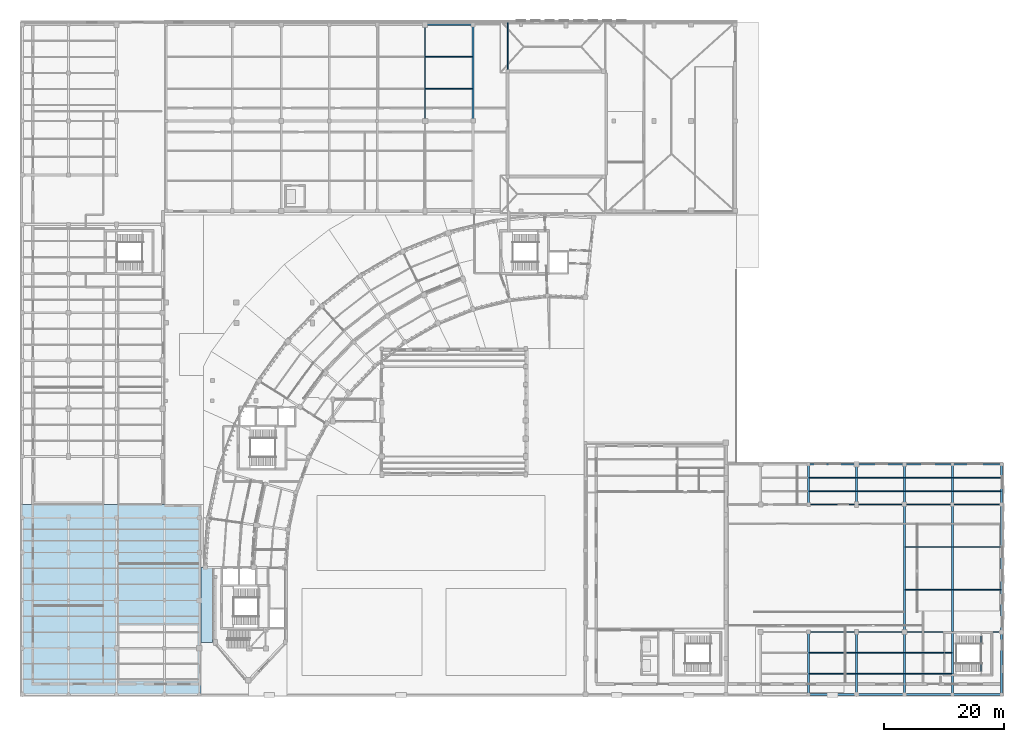
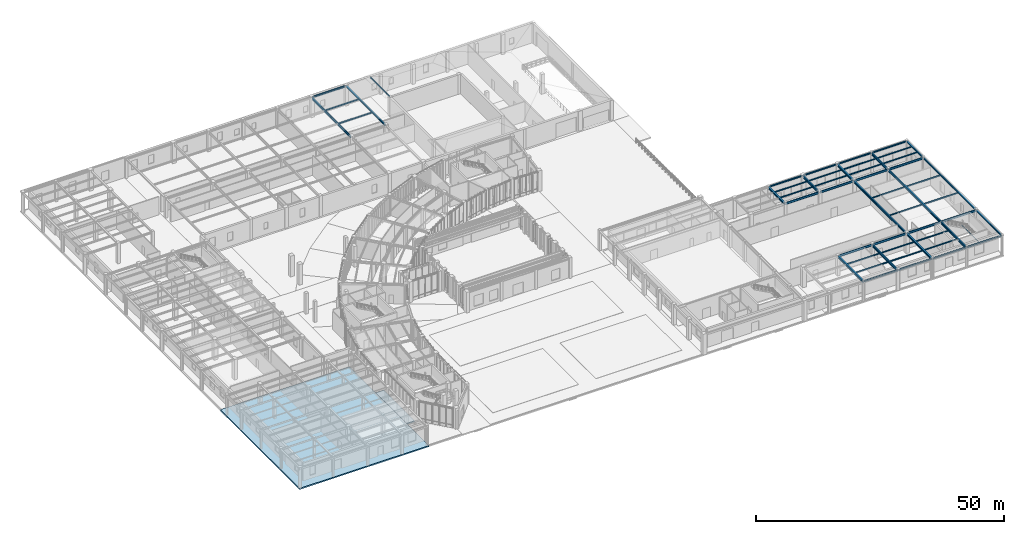
# One storey, part 19 of 68: 53 beams, 2 slabs, 1 member.
"""IFC4 building model written with IfcOpenShell, lengths in metres."""

from ifc_helpers import new_model, si_unit, direction, frame, origin, origin_2d, place, context, subcontext, project, spatial, polyline, hollow_rectangle, i_section, outline, extrude, material, layer, layer_set, material_profile, profile_set, type_object, element, save


model = new_model("IFC4")

# Units and contexts
model_context = context("Model", 3, precision=1e-05, world=origin(), true_north=direction((0.0, 1.0)))
body_context = subcontext(model_context, "Body", "Model", "MODEL_VIEW")
ifc_project = project(units=[si_unit("LENGTHUNIT", "METRE"), si_unit("AREAUNIT", "SQUARE_METRE"), si_unit("VOLUMEUNIT", "CUBIC_METRE"), si_unit("PLANEANGLEUNIT", "RADIAN"), si_unit("MASSUNIT", "GRAM", prefix="KILO"), si_unit("THERMODYNAMICTEMPERATUREUNIT", "KELVIN"), si_unit("POWERUNIT", "WATT")], contexts=[model_context])

# Site, building, storey
site_placement = place(None, origin())
site = spatial("IfcSite", under=ifc_project, at=site_placement, CompositionType="ELEMENT")
building_placement = place(site_placement, origin())
building = spatial("IfcBuilding", under=site, at=building_placement, Name="Solvatero Civic Police Headquarters", CompositionType="ELEMENT")
storey_placement = place(building_placement, origin())
storey = spatial("IfcBuildingStorey", under=building, at=storey_placement, Name="L00", CompositionType="ELEMENT", Elevation=0.0)

# Beams
ifc_material_1 = material(Name="Steel S355", Category="steel")
ifc_material_profile_1 = material_profile(ifc_material_1, i_section(OverallWidth=0.300048828125, OverallDepth=0.31005859375, WebThickness=0.009033203125, FlangeThickness=0.015380859375, FilletRadius=0.027099609375, at=origin_2d()), Name="HEA 320")
ifc_profile_set_1 = profile_set([ifc_material_profile_1], Name="Steel S355")
beam_type_1 = type_object("IfcBeamType", Name="BM-ST-HEA320", PredefinedType="SPANDREL", material=ifc_profile_set_1)
for number, where, z_axis, x_axis, name in (
    (1, (136.10009765625, 4.800048828125, 4.72509765625), (1.0, 0.0, 0.0), (0.0, 1.0, 0.0), "Perimeter / radial spandrel beam BM-R2-L00-V3-GX-2-1"),
    (2, (144.10009765625, 4.800048828125, 4.72509765625), (1.0, 0.0, 0.0), (0.0, 1.0, 0.0), "Perimeter / radial spandrel beam BM-R2-L00-V3-GX-3-1"),
    (3, (152.10009765625, 4.800048828125, 4.72509765625), (1.0, 0.0, 0.0), (0.0, 1.0, 0.0), "Perimeter / radial spandrel beam BM-R2-L00-V3-GX-4-1"),
):
    element("IfcBeam", number, at=place(storey_placement, frame(where, z_axis=z_axis, x_axis=x_axis)), inside=storey, type_object=beam_type_1, Name=name, PredefinedType="SPANDREL", context=body_context, shape_type="SweptSolid", body=[
        extrude(i_section(OverallWidth=0.300048828125, OverallDepth=0.31005859375, WebThickness=0.009033203125, FlangeThickness=0.015380859375, FilletRadius=0.027099609375, at=origin_2d()), origin(), (0.0, 0.0, 1.0), 7.7998046875),
    ])
beam_1_placement = place(storey_placement, frame((160.10009765625, 4.800048828125, 4.72509765625), z_axis=(1.0, 0.0, 0.0), x_axis=(0.0, 1.0, 0.0)))
element("IfcBeam", 4, at=beam_1_placement, inside=storey, type_object=beam_type_1, Name="Perimeter / radial spandrel beam BM-R2-L00-V3-GX-5-1", PredefinedType="SPANDREL", context=body_context, shape_type="SweptSolid", body=[
    extrude(i_section(OverallWidth=0.300048828125, OverallDepth=0.31005859375, WebThickness=0.009033203125, FlangeThickness=0.015380859375, FilletRadius=0.027099609375, at=origin_2d()), origin(), (0.0, 0.0, 1.0), 8.0),
])
for number, where, z_axis, x_axis, name in (
    (5, (136.10009765625, 43.199951171875, 4.72509765625), (1.0, 0.0, 0.0), (0.0, 1.0, 0.0), "Perimeter / radial spandrel beam BM-R2-L00-V3-GX-2-4"),
    (6, (144.10009765625, 43.199951171875, 4.72509765625), (1.0, 0.0, 0.0), (0.0, 1.0, 0.0), "Perimeter / radial spandrel beam BM-R2-L00-V3-GX-3-4"),
    (7, (152.10009765625, 43.199951171875, 4.72509765625), (1.0, 0.0, 0.0), (0.0, 1.0, 0.0), "Perimeter / radial spandrel beam BM-R2-L00-V3-GX-4-4"),
):
    element("IfcBeam", number, at=place(storey_placement, frame(where, z_axis=z_axis, x_axis=x_axis)), inside=storey, type_object=beam_type_1, Name=name, PredefinedType="SPANDREL", context=body_context, shape_type="SweptSolid", body=[
        extrude(i_section(OverallWidth=0.300048828125, OverallDepth=0.31005859375, WebThickness=0.009033203125, FlangeThickness=0.015380859375, FilletRadius=0.027099609375, at=origin_2d()), origin(), (0.0, 0.0, 1.0), 7.7998046875),
    ])
beam_2_placement = place(storey_placement, frame((160.10009765625, 43.199951171875, 4.72509765625), z_axis=(1.0, 0.0, 0.0), x_axis=(0.0, 1.0, 0.0)))
element("IfcBeam", 8, at=beam_2_placement, inside=storey, type_object=beam_type_1, Name="Perimeter / radial spandrel beam BM-R2-L00-V3-GX-5-4", PredefinedType="SPANDREL", context=body_context, shape_type="SweptSolid", body=[
    extrude(i_section(OverallWidth=0.300048828125, OverallDepth=0.31005859375, WebThickness=0.009033203125, FlangeThickness=0.015380859375, FilletRadius=0.027099609375, at=origin_2d()), origin(), (0.0, 0.0, 1.0), 8.0),
])
beam_3_placement = place(storey_placement, frame((168.199951171875, 4.9599609375, 4.72509765625), z_axis=(0.0, 1.0, 0.0), x_axis=(-1.0, 0.0, 0.0)))
element("IfcBeam", 9, at=beam_3_placement, inside=storey, type_object=beam_type_1, Name="Perimeter / radial spandrel beam BM-R2-L00-V3-GY-6-1", PredefinedType="SPANDREL", context=body_context, shape_type="SweptSolid", body=[
    extrude(i_section(OverallWidth=0.300048828125, OverallDepth=0.31005859375, WebThickness=0.009033203125, FlangeThickness=0.015380859375, FilletRadius=0.027099609375, at=origin_2d()), origin(), (0.0, 0.0, 1.0), 10.080078125),
])
beam_4_placement = place(storey_placement, frame((168.199951171875, 15.360107421875, 4.72509765625), z_axis=(0.0, 1.0, 0.0), x_axis=(-1.0, 0.0, 0.0)))
element("IfcBeam", 10, at=beam_4_placement, inside=storey, type_object=beam_type_1, Name="Perimeter / radial spandrel beam BM-R2-L00-V3-GY-6-2", PredefinedType="SPANDREL", context=body_context, shape_type="SweptSolid", body=[
    extrude(i_section(OverallWidth=0.300048828125, OverallDepth=0.31005859375, WebThickness=0.009033203125, FlangeThickness=0.015380859375, FilletRadius=0.027099609375, at=origin_2d()), origin(), (0.0, 0.0, 1.0), 20.97998046875),
])
beam_5_placement = place(storey_placement, frame((168.199951171875, 36.659912109375, 4.72509765625), z_axis=(0.0, 1.0, 0.0), x_axis=(-1.0, 0.0, 0.0)))
element("IfcBeam", 11, at=beam_5_placement, inside=storey, type_object=beam_type_1, Name="Perimeter / radial spandrel beam BM-R2-L00-V3-GY-6-3", PredefinedType="SPANDREL", context=body_context, shape_type="SweptSolid", body=[
    extrude(i_section(OverallWidth=0.300048828125, OverallDepth=0.31005859375, WebThickness=0.009033203125, FlangeThickness=0.015380859375, FilletRadius=0.027099609375, at=origin_2d()), origin(), (0.0, 0.0, 1.0), 6.380126953125),
])
ifc_material_profile_2 = material_profile(ifc_material_1, i_section(OverallWidth=0.300048828125, OverallDepth=0.35009765625, WebThickness=0.010009765625, FlangeThickness=0.017578125, FilletRadius=0.027099609375, at=origin_2d()), Name="HEA 360")
ifc_profile_set_2 = profile_set([ifc_material_profile_2], Name="Steel S355")
beam_type_2 = type_object("IfcBeamType", Name="BM-ST-HEA360", PredefinedType="SPANDREL", material=ifc_profile_set_2)
beam_6_placement = place(storey_placement, frame((72.10009765625, 116.550048828125, 4.68505859375), z_axis=(1.0, 0.0, 0.0), x_axis=(0.0, 1.0, 0.0)))
element("IfcBeam", 12, at=beam_6_placement, inside=storey, type_object=beam_type_2, Name="Perimeter / radial spandrel beam BM-R2-L00-V7-GX-6-3", PredefinedType="SPANDREL", context=body_context, shape_type="SweptSolid", body=[
    extrude(i_section(OverallWidth=0.300048828125, OverallDepth=0.35009765625, WebThickness=0.010009765625, FlangeThickness=0.017578125, FilletRadius=0.027099609375, at=origin_2d()), origin(), (0.0, 0.0, 1.0), 7.7998046875),
])
beam_7_placement = place(storey_placement, frame((80.0, 100.659912109375, 4.68505859375), z_axis=(0.0, 1.0, 0.0), x_axis=(-1.0, 0.0, 0.0)))
element("IfcBeam", 13, at=beam_7_placement, inside=storey, type_object=beam_type_2, Name="Perimeter / radial spandrel beam BM-R2-L00-V7-GY-7-2", PredefinedType="SPANDREL", context=body_context, shape_type="SweptSolid", body=[
    extrude(i_section(OverallWidth=0.300048828125, OverallDepth=0.35009765625, WebThickness=0.010009765625, FlangeThickness=0.017578125, FilletRadius=0.027099609375, at=origin_2d()), origin(), (0.0, 0.0, 1.0), 15.72998046875),
])
ifc_material_profile_3 = material_profile(ifc_material_1, i_section(OverallWidth=0.300048828125, OverallDepth=0.5400390625, WebThickness=0.012451171875, FlangeThickness=0.02392578125, FilletRadius=0.027099609375, at=origin_2d()), Name="HEA 550")
ifc_profile_set_3 = profile_set([ifc_material_profile_3], Name="Steel S355")
beam_type_3 = type_object("IfcBeamType", Name="BM-ST-HEA550", PredefinedType="BEAM", material=ifc_profile_set_3)
beam_8_placement = place(storey_placement, frame((136.0, 4.9599609375, 4.610107421875), z_axis=(0.0, 1.0, 0.0), x_axis=(-1.0, 0.0, 0.0)))
element("IfcBeam", 14, at=beam_8_placement, inside=storey, type_object=beam_type_3, Name="Primary girder BM-R2-L00-V3-GY-2-1", PredefinedType="BEAM", context=body_context, shape_type="SweptSolid", body=[
    extrude(i_section(OverallWidth=0.300048828125, OverallDepth=0.5400390625, WebThickness=0.012451171875, FlangeThickness=0.02392578125, FilletRadius=0.027099609375, at=origin_2d()), origin(), (0.0, 0.0, 1.0), 10.080078125),
])
beam_9_placement = place(storey_placement, frame((136.0, 36.659912109375, 4.610107421875), z_axis=(0.0, 1.0, 0.0), x_axis=(-1.0, 0.0, 0.0)))
element("IfcBeam", 15, at=beam_9_placement, inside=storey, type_object=beam_type_3, Name="Primary girder BM-R2-L00-V3-GY-2-3", PredefinedType="BEAM", context=body_context, shape_type="SweptSolid", body=[
    extrude(i_section(OverallWidth=0.300048828125, OverallDepth=0.5400390625, WebThickness=0.012451171875, FlangeThickness=0.02392578125, FilletRadius=0.027099609375, at=origin_2d()), origin(), (0.0, 0.0, 1.0), 6.380126953125),
])
beam_10_placement = place(storey_placement, frame((144.0, 4.9599609375, 4.610107421875), z_axis=(0.0, 1.0, 0.0), x_axis=(-1.0, 0.0, 0.0)))
element("IfcBeam", 16, at=beam_10_placement, inside=storey, type_object=beam_type_3, Name="Primary girder BM-R2-L00-V3-GY-3-1", PredefinedType="BEAM", context=body_context, shape_type="SweptSolid", body=[
    extrude(i_section(OverallWidth=0.300048828125, OverallDepth=0.5400390625, WebThickness=0.012451171875, FlangeThickness=0.02392578125, FilletRadius=0.027099609375, at=origin_2d()), origin(), (0.0, 0.0, 1.0), 10.080078125),
])
beam_11_placement = place(storey_placement, frame((144.0, 36.659912109375, 4.610107421875), z_axis=(0.0, 1.0, 0.0), x_axis=(-1.0, 0.0, 0.0)))
element("IfcBeam", 17, at=beam_11_placement, inside=storey, type_object=beam_type_3, Name="Primary girder BM-R2-L00-V3-GY-3-3", PredefinedType="BEAM", context=body_context, shape_type="SweptSolid", body=[
    extrude(i_section(OverallWidth=0.300048828125, OverallDepth=0.5400390625, WebThickness=0.012451171875, FlangeThickness=0.02392578125, FilletRadius=0.027099609375, at=origin_2d()), origin(), (0.0, 0.0, 1.0), 6.380126953125),
])
beam_12_placement = place(storey_placement, frame((152.0, 4.9599609375, 4.610107421875), z_axis=(0.0, 1.0, 0.0), x_axis=(-1.0, 0.0, 0.0)))
element("IfcBeam", 18, at=beam_12_placement, inside=storey, type_object=beam_type_3, Name="Primary girder BM-R2-L00-V3-GY-4-1", PredefinedType="BEAM", context=body_context, shape_type="SweptSolid", body=[
    extrude(i_section(OverallWidth=0.300048828125, OverallDepth=0.5400390625, WebThickness=0.012451171875, FlangeThickness=0.02392578125, FilletRadius=0.027099609375, at=origin_2d()), origin(), (0.0, 0.0, 1.0), 10.080078125),
])
beam_13_placement = place(storey_placement, frame((152.0, 15.360107421875, 4.610107421875), z_axis=(0.0, 1.0, 0.0), x_axis=(-1.0, 0.0, 0.0)))
element("IfcBeam", 19, at=beam_13_placement, inside=storey, type_object=beam_type_3, Name="Primary girder BM-R2-L00-V3-GY-4-2", PredefinedType="BEAM", context=body_context, shape_type="SweptSolid", body=[
    extrude(i_section(OverallWidth=0.300048828125, OverallDepth=0.5400390625, WebThickness=0.012451171875, FlangeThickness=0.02392578125, FilletRadius=0.027099609375, at=origin_2d()), origin(), (0.0, 0.0, 1.0), 20.97998046875),
])
beam_14_placement = place(storey_placement, frame((152.0, 36.659912109375, 4.610107421875), z_axis=(0.0, 1.0, 0.0), x_axis=(-1.0, 0.0, 0.0)))
element("IfcBeam", 20, at=beam_14_placement, inside=storey, type_object=beam_type_3, Name="Primary girder BM-R2-L00-V3-GY-4-3", PredefinedType="BEAM", context=body_context, shape_type="SweptSolid", body=[
    extrude(i_section(OverallWidth=0.300048828125, OverallDepth=0.5400390625, WebThickness=0.012451171875, FlangeThickness=0.02392578125, FilletRadius=0.027099609375, at=origin_2d()), origin(), (0.0, 0.0, 1.0), 6.380126953125),
])
beam_15_placement = place(storey_placement, frame((160.0, 4.9599609375, 4.610107421875), z_axis=(0.0, 1.0, 0.0), x_axis=(-1.0, 0.0, 0.0)))
element("IfcBeam", 21, at=beam_15_placement, inside=storey, type_object=beam_type_3, Name="Primary girder BM-R2-L00-V3-GY-5-1", PredefinedType="BEAM", context=body_context, shape_type="SweptSolid", body=[
    extrude(i_section(OverallWidth=0.300048828125, OverallDepth=0.5400390625, WebThickness=0.012451171875, FlangeThickness=0.02392578125, FilletRadius=0.027099609375, at=origin_2d()), origin(), (0.0, 0.0, 1.0), 10.137939453125),
])
beam_16_placement = place(storey_placement, frame((160.0, 15.302001953125, 4.610107421875), z_axis=(0.0, 1.0, 0.0), x_axis=(-1.0, 0.0, 0.0)))
element("IfcBeam", 22, at=beam_16_placement, inside=storey, type_object=beam_type_3, Name="Primary girder BM-R2-L00-V3-GY-5-2", PredefinedType="BEAM", context=body_context, shape_type="SweptSolid", body=[
    extrude(i_section(OverallWidth=0.300048828125, OverallDepth=0.5400390625, WebThickness=0.012451171875, FlangeThickness=0.02392578125, FilletRadius=0.027099609375, at=origin_2d()), origin(), (0.0, 0.0, 1.0), 21.0380859375),
])
beam_17_placement = place(storey_placement, frame((160.0, 36.659912109375, 4.610107421875), z_axis=(0.0, 1.0, 0.0), x_axis=(-1.0, 0.0, 0.0)))
element("IfcBeam", 23, at=beam_17_placement, inside=storey, type_object=beam_type_3, Name="Primary girder BM-R2-L00-V3-GY-5-3", PredefinedType="BEAM", context=body_context, shape_type="SweptSolid", body=[
    extrude(i_section(OverallWidth=0.300048828125, OverallDepth=0.5400390625, WebThickness=0.012451171875, FlangeThickness=0.02392578125, FilletRadius=0.027099609375, at=origin_2d()), origin(), (0.0, 0.0, 1.0), 6.380126953125),
])
ifc_material_profile_4 = material_profile(ifc_material_1, i_section(OverallWidth=0.14990234375, OverallDepth=0.300048828125, WebThickness=0.007080078125, FlangeThickness=0.0107421875, FilletRadius=0.014892578125, at=origin_2d()), Name="IPE 300")
ifc_profile_set_4 = profile_set([ifc_material_profile_4], Name="Steel S355")
beam_type_4 = type_object("IfcBeamType", Name="BM-ST-IPE300", PredefinedType="BEAM", material=ifc_profile_set_4)
for number, where, z_axis, x_axis, name in (
    (24, (136.14990234375, 8.2666015625, 4.72998046875), (1.0, 0.0, 0.0), (0.0, 1.0, 0.0), "Composite floor beam BM-R2-L00-V3-SEC-2-1-S1"),
    (25, (136.14990234375, 11.7333984375, 4.72998046875), (1.0, 0.0, 0.0), (0.0, 1.0, 0.0), "Composite floor beam BM-R2-L00-V3-SEC-2-1-S2"),
    (26, (136.14990234375, 38.7333984375, 4.72998046875), (1.0, 0.0, 0.0), (0.0, 1.0, 0.0), "Composite floor beam BM-R2-L00-V3-SEC-2-3-S1"),
    (27, (136.14990234375, 40.966796875, 4.72998046875), (1.0, 0.0, 0.0), (0.0, 1.0, 0.0), "Composite floor beam BM-R2-L00-V3-SEC-2-3-S2"),
    (28, (144.14990234375, 8.2666015625, 4.72998046875), (1.0, 0.0, 0.0), (0.0, 1.0, 0.0), "Composite floor beam BM-R2-L00-V3-SEC-3-1-S1"),
    (29, (144.14990234375, 11.7333984375, 4.72998046875), (1.0, 0.0, 0.0), (0.0, 1.0, 0.0), "Composite floor beam BM-R2-L00-V3-SEC-3-1-S2"),
    (30, (144.14990234375, 38.7333984375, 4.72998046875), (1.0, 0.0, 0.0), (0.0, 1.0, 0.0), "Composite floor beam BM-R2-L00-V3-SEC-3-3-S1"),
    (31, (144.14990234375, 40.966796875, 4.72998046875), (1.0, 0.0, 0.0), (0.0, 1.0, 0.0), "Composite floor beam BM-R2-L00-V3-SEC-3-3-S2"),
    (32, (152.14990234375, 8.2666015625, 4.72998046875), (1.0, 0.0, 0.0), (0.0, 1.0, 0.0), "Composite floor beam BM-R2-L00-V3-SEC-4-1-S1"),
    (33, (152.14990234375, 11.7333984375, 4.72998046875), (1.0, 0.0, 0.0), (0.0, 1.0, 0.0), "Composite floor beam BM-R2-L00-V3-SEC-4-1-S2"),
    (34, (152.14990234375, 22.300048828125, 4.72998046875), (1.0, 0.0, 0.0), (0.0, 1.0, 0.0), "Composite floor beam BM-R2-L00-V3-SEC-4-2-S1"),
    (35, (152.14990234375, 29.39990234375, 4.72998046875), (1.0, 0.0, 0.0), (0.0, 1.0, 0.0), "Composite floor beam BM-R2-L00-V3-SEC-4-2-S2"),
    (36, (152.14990234375, 38.7333984375, 4.72998046875), (1.0, 0.0, 0.0), (0.0, 1.0, 0.0), "Composite floor beam BM-R2-L00-V3-SEC-4-3-S1"),
    (37, (152.14990234375, 40.966796875, 4.72998046875), (1.0, 0.0, 0.0), (0.0, 1.0, 0.0), "Composite floor beam BM-R2-L00-V3-SEC-4-3-S2"),
):
    element("IfcBeam", number, at=place(storey_placement, frame(where, z_axis=z_axis, x_axis=x_axis)), inside=storey, type_object=beam_type_4, Name=name, PredefinedType="BEAM", context=body_context, shape_type="SweptSolid", body=[
        extrude(i_section(OverallWidth=0.14990234375, OverallDepth=0.300048828125, WebThickness=0.007080078125, FlangeThickness=0.0107421875, FilletRadius=0.014892578125, at=origin_2d()), origin(), (0.0, 0.0, 1.0), 7.7001953125),
    ])
for number, where, z_axis, x_axis, name in (
    (38, (160.14990234375, 22.300048828125, 4.72998046875), (1.0, 0.0, 0.0), (0.0, 1.0, 0.0), "Composite floor beam BM-R2-L00-V3-SEC-5-2-S1"),
    (39, (160.14990234375, 29.39990234375, 4.72998046875), (1.0, 0.0, 0.0), (0.0, 1.0, 0.0), "Composite floor beam BM-R2-L00-V3-SEC-5-2-S2"),
    (40, (160.14990234375, 38.7333984375, 4.72998046875), (1.0, 0.0, 0.0), (0.0, 1.0, 0.0), "Composite floor beam BM-R2-L00-V3-SEC-5-3-S1"),
    (41, (160.14990234375, 40.966796875, 4.72998046875), (1.0, 0.0, 0.0), (0.0, 1.0, 0.0), "Composite floor beam BM-R2-L00-V3-SEC-5-3-S2"),
):
    element("IfcBeam", number, at=place(storey_placement, frame(where, z_axis=z_axis, x_axis=x_axis)), inside=storey, type_object=beam_type_4, Name=name, PredefinedType="BEAM", context=body_context, shape_type="SweptSolid", body=[
        extrude(i_section(OverallWidth=0.14990234375, OverallDepth=0.300048828125, WebThickness=0.007080078125, FlangeThickness=0.0107421875, FilletRadius=0.014892578125, at=origin_2d()), origin(), (0.0, 0.0, 1.0), 7.900146484375),
    ])
beam_18_placement = place(storey_placement, frame((85.800048828125, 108.8798828125, 4.639892578125), z_axis=(0.0, 1.0, 0.0), x_axis=(-1.0, 0.0, 0.0)))
element("IfcBeam", 42, at=beam_18_placement, inside=storey, type_object=beam_type_4, Name="Composite floor beam BM-R2-L00-CUSYN-W", PredefinedType="BEAM", context=body_context, shape_type="SweptSolid", body=[
    extrude(i_section(OverallWidth=0.14990234375, OverallDepth=0.300048828125, WebThickness=0.007080078125, FlangeThickness=0.0107421875, FilletRadius=0.014892578125, at=origin_2d()), origin(), (0.0, 0.0, 1.0), 7.990234375),
])
ifc_material_profile_5 = material_profile(ifc_material_1, i_section(OverallWidth=0.159912109375, OverallDepth=0.330078125, WebThickness=0.007568359375, FlangeThickness=0.011474609375, FilletRadius=0.01806640625, at=origin_2d()), Name="IPE 330")
ifc_profile_set_5 = profile_set([ifc_material_profile_5], Name="Steel S355")
beam_type_5 = type_object("IfcBeamType", Name="BM-ST-IPE330", PredefinedType="BEAM", material=ifc_profile_set_5)
for number, where, z_axis, x_axis, name in (
    (43, (72.10498046875, 105.85009765625, 4.695068359375), (1.0, 0.0, 0.0), (0.0, 1.0, 0.0), "Composite floor beam BM-R2-L00-V7-SEC-6-2-S1"),
    (44, (72.10498046875, 111.199951171875, 4.695068359375), (1.0, 0.0, 0.0), (0.0, 1.0, 0.0), "Composite floor beam BM-R2-L00-V7-SEC-6-2-S2"),
):
    element("IfcBeam", number, at=place(storey_placement, frame(where, z_axis=z_axis, x_axis=x_axis)), inside=storey, type_object=beam_type_5, Name=name, PredefinedType="BEAM", context=body_context, shape_type="SweptSolid", body=[
        extrude(i_section(OverallWidth=0.159912109375, OverallDepth=0.330078125, WebThickness=0.007568359375, FlangeThickness=0.011474609375, FilletRadius=0.01806640625, at=origin_2d()), origin(), (0.0, 0.0, 1.0), 7.7451171875),
    ])
ifc_material_profile_6 = material_profile(ifc_material_1, i_section(OverallWidth=0.199951171875, OverallDepth=0.5, WebThickness=0.01025390625, FlangeThickness=0.01611328125, FilletRadius=0.02099609375, at=origin_2d()), Name="IPE 500")
ifc_profile_set_6 = profile_set([ifc_material_profile_6], Name="Steel S355")
beam_type_6 = type_object("IfcBeamType", Name="BM-ST-IPE500", PredefinedType="BEAM", material=ifc_profile_set_6)
for number, where, z_axis, x_axis, name in (
    (45, (136.10009765625, 15.199951171875, 4.6298828125), (1.0, 0.0, 0.0), (0.0, 1.0, 0.0), "Primary girder BM-R2-L00-V3-GX-2-2"),
    (46, (144.10009765625, 15.199951171875, 4.6298828125), (1.0, 0.0, 0.0), (0.0, 1.0, 0.0), "Primary girder BM-R2-L00-V3-GX-3-2"),
    (47, (152.10009765625, 15.199951171875, 4.6298828125), (1.0, 0.0, 0.0), (0.0, 1.0, 0.0), "Primary girder BM-R2-L00-V3-GX-4-2"),
):
    element("IfcBeam", number, at=place(storey_placement, frame(where, z_axis=z_axis, x_axis=x_axis)), inside=storey, type_object=beam_type_6, Name=name, PredefinedType="BEAM", context=body_context, shape_type="SweptSolid", body=[
        extrude(i_section(OverallWidth=0.199951171875, OverallDepth=0.5, WebThickness=0.01025390625, FlangeThickness=0.01611328125, FilletRadius=0.02099609375, at=origin_2d()), origin(), (0.0, 0.0, 1.0), 7.7998046875),
    ])
beam_19_placement = place(storey_placement, frame((160.10009765625, 15.199951171875, 4.6298828125), z_axis=(1.0, 0.0, 0.0), x_axis=(0.0, 1.0, 0.0)))
element("IfcBeam", 48, at=beam_19_placement, inside=storey, type_object=beam_type_6, Name="Primary girder BM-R2-L00-V3-GX-5-2", PredefinedType="BEAM", context=body_context, shape_type="SweptSolid", body=[
    extrude(i_section(OverallWidth=0.199951171875, OverallDepth=0.5, WebThickness=0.01025390625, FlangeThickness=0.01611328125, FilletRadius=0.02099609375, at=origin_2d()), origin(), (0.0, 0.0, 1.0), 8.0),
])
for number, where, z_axis, x_axis, name in (
    (49, (136.10009765625, 36.5, 4.6298828125), (1.0, 0.0, 0.0), (0.0, 1.0, 0.0), "Primary girder BM-R2-L00-V3-GX-2-3"),
    (50, (144.10009765625, 36.5, 4.6298828125), (1.0, 0.0, 0.0), (0.0, 1.0, 0.0), "Primary girder BM-R2-L00-V3-GX-3-3"),
    (51, (152.10009765625, 36.5, 4.6298828125), (1.0, 0.0, 0.0), (0.0, 1.0, 0.0), "Primary girder BM-R2-L00-V3-GX-4-3"),
):
    element("IfcBeam", number, at=place(storey_placement, frame(where, z_axis=z_axis, x_axis=x_axis)), inside=storey, type_object=beam_type_6, Name=name, PredefinedType="BEAM", context=body_context, shape_type="SweptSolid", body=[
        extrude(i_section(OverallWidth=0.199951171875, OverallDepth=0.5, WebThickness=0.01025390625, FlangeThickness=0.01611328125, FilletRadius=0.02099609375, at=origin_2d()), origin(), (0.0, 0.0, 1.0), 7.7998046875),
    ])
beam_20_placement = place(storey_placement, frame((160.10009765625, 36.5, 4.6298828125), z_axis=(1.0, 0.0, 0.0), x_axis=(0.0, 1.0, 0.0)))
element("IfcBeam", 52, at=beam_20_placement, inside=storey, type_object=beam_type_6, Name="Primary girder BM-R2-L00-V3-GX-5-3", PredefinedType="BEAM", context=body_context, shape_type="SweptSolid", body=[
    extrude(i_section(OverallWidth=0.199951171875, OverallDepth=0.5, WebThickness=0.01025390625, FlangeThickness=0.01611328125, FilletRadius=0.02099609375, at=origin_2d()), origin(), (0.0, 0.0, 1.0), 8.0),
])
ifc_material_profile_7 = material_profile(ifc_material_1, i_section(OverallWidth=0.2099609375, OverallDepth=0.550048828125, WebThickness=0.010986328125, FlangeThickness=0.01708984375, FilletRadius=0.02392578125, at=origin_2d()), Name="IPE 550")
ifc_profile_set_7 = profile_set([ifc_material_profile_7], Name="Steel S355")
beam_type_7 = type_object("IfcBeamType", Name="BM-ST-IPE550", PredefinedType="BEAM", material=ifc_profile_set_7)
beam_21_placement = place(storey_placement, frame((72.0, 100.659912109375, 4.5849609375), z_axis=(0.0, 1.0, 0.0), x_axis=(-1.0, 0.0, 0.0)))
element("IfcBeam", 53, at=beam_21_placement, inside=storey, type_object=beam_type_7, Name="Primary girder BM-R2-L00-V7-GY-6-2", PredefinedType="BEAM", context=body_context, shape_type="SweptSolid", body=[
    extrude(i_section(OverallWidth=0.2099609375, OverallDepth=0.550048828125, WebThickness=0.010986328125, FlangeThickness=0.01708984375, FilletRadius=0.02392578125, at=origin_2d()), origin(), (0.0, 0.0, 1.0), 15.72998046875),
])

# Member
ifc_material_profile_8 = material_profile(ifc_material_1, hollow_rectangle(XDim=0.10009765625, YDim=0.14990234375, WallThickness=0.00634765625, InnerFilletRadius=0.00634765625, OuterFilletRadius=0.0126953125, at=origin_2d()), Name="RHS 150x100x6.3")
ifc_profile_set_8 = profile_set([ifc_material_profile_8], Name="Steel S355")
member_type = type_object("IfcMemberType", Name="MB-BR-RHS150", PredefinedType="BRACE", material=ifc_profile_set_8)
member_placement = place(storey_placement, frame((164.764892578125, 8.080078125, 2.27490234375), z_axis=(0.0, 1.0, 0.0), x_axis=(-1.0, 0.0, 0.0)))
element("IfcMember", 54, at=member_placement, inside=storey, type_object=member_type, Name="ST-C6 L00 Landing Support Beam", PredefinedType="BRACE", context=body_context, shape_type="SweptSolid", body=[
    extrude(hollow_rectangle(XDim=0.10009765625, YDim=0.14990234375, WallThickness=0.00634765625, InnerFilletRadius=0.00634765625, OuterFilletRadius=0.0126953125, at=origin_2d()), origin(), (0.0, 0.0, 1.0), 7.0400390625),
])

# Slabs
ifc_material_2 = material(Name="Concrete C40/50", Category="concrete")
ifc_layer_1 = layer(ifc_material_2, 0.300048828125)
ifc_layer_set_1 = layer_set([ifc_layer_1], Name="Concrete C40/50")
slab_type_1 = type_object("IfcSlabType", Name="SLB-RC-300", PredefinedType="FLOOR", material=ifc_layer_set_1)
slab_1_placement = place(storey_placement, frame((0.0, 0.0, -0.300048828125)))
element("IfcSlab", 55, at=slab_1_placement, inside=storey, type_object=slab_type_1, Name="L00 Suspended floor slab SLB-L00-V4", PredefinedType="FLOOR", context=body_context, shape_type="SweptSolid", body=[
    extrude(outline(polyline([(4.5, 36.5), (34.60009765625, 36.5), (34.60009765625, 4.5), (4.5, 4.5), (4.5, 36.5)])), origin(), (0.0, 0.0, 1.0), 0.300048828125),
])
ifc_material_3 = material(Name="Concrete C35/45", Category="concrete")
ifc_layer_2 = layer(ifc_material_3, 0.260009765625)
ifc_layer_set_2 = layer_set([ifc_layer_2], Name="Concrete C35/45")
slab_type_2 = type_object("IfcSlabType", Name="SLB-TERR-260", PredefinedType="FLOOR", material=ifc_layer_set_2)
slab_2_placement = place(storey_placement, frame((0.0, 0.0, -0.260009765625)))
element("IfcSlab", 56, at=slab_2_placement, inside=storey, type_object=slab_type_2, Name="L00 Walkable roof terrace slab SLB-L00-PARVIS-W", PredefinedType="FLOOR", context=body_context, shape_type="SweptSolid", body=[
    extrude(outline(polyline([(34.998046875, 26.0), (34.997802734375, 25.998046875), (36.498046875, 25.998046875), (36.498046875, 13.501953125), (34.60205078125, 13.501953125), (34.60205078125, 26.0), (34.998046875, 26.0)])), origin(), (0.0, 0.0, 1.0), 0.260009765625),
])

save(model, "model.ifc")
